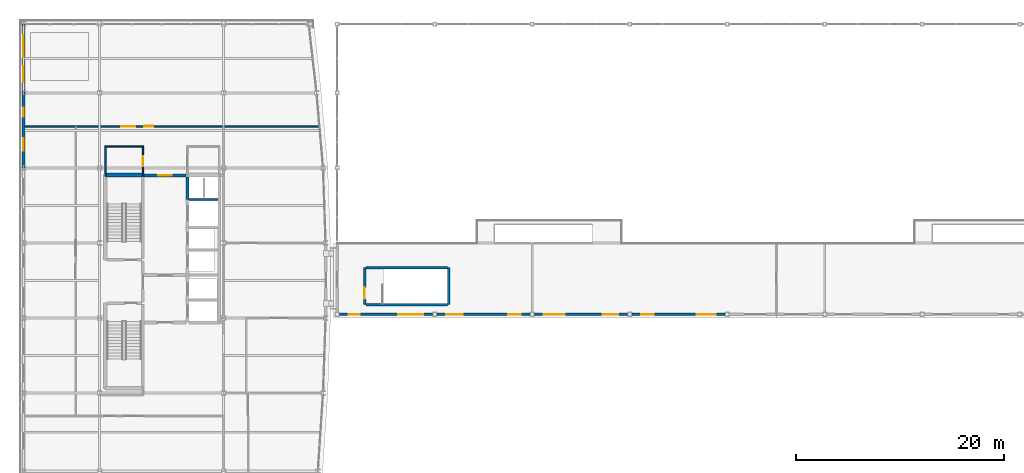
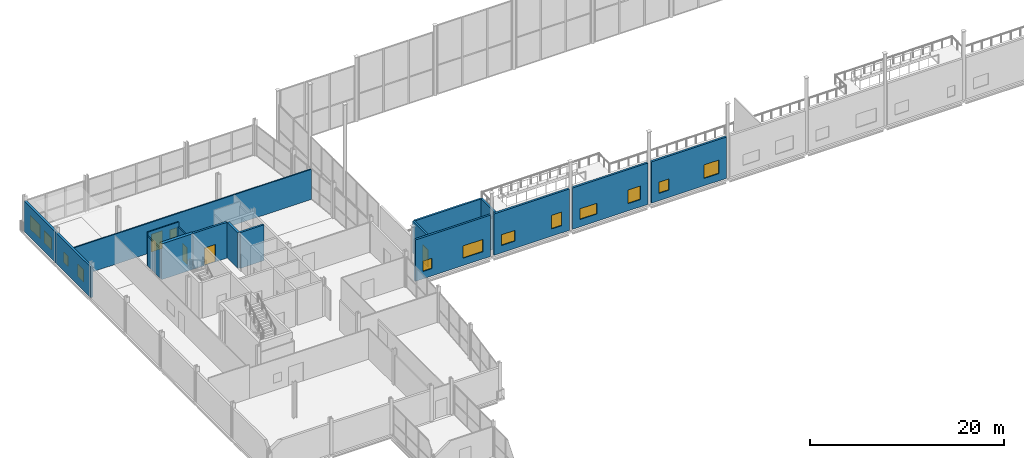
# One storey, part 66 of 77: 18 walls, 13 windows, 4 doors, 17 openings.
"""IFC4 building model written with IfcOpenShell, lengths in metres."""

from ifc_helpers import new_model, si_unit, direction, frame, frame_2d, origin, place, context, subcontext, project, spatial, rectangle, extrude, material, layer, layer_set, type_object, element, fill, save


model = new_model("IFC4")

# Units and contexts
model_context = context("Model", 3, precision=1e-05, world=origin(), true_north=direction((0.0, 1.0)))
body_context = subcontext(model_context, "Body", "Model", "MODEL_VIEW")
ifc_project = project(units=[si_unit("LENGTHUNIT", "METRE"), si_unit("AREAUNIT", "SQUARE_METRE"), si_unit("VOLUMEUNIT", "CUBIC_METRE"), si_unit("PLANEANGLEUNIT", "RADIAN"), si_unit("MASSUNIT", "GRAM", prefix="KILO")], contexts=[model_context])

# Site, building, storey
site_placement = place(None, origin())
site = spatial("IfcSite", under=ifc_project, at=site_placement, CompositionType="ELEMENT")
building_placement = place(site_placement, origin())
building = spatial("IfcBuilding", under=site, at=building_placement, Name="Quillay Park Conservatory", CompositionType="ELEMENT")
storey_placement = place(building_placement, frame((0.0, 0.0, 5.39990234375)))
storey = spatial("IfcBuildingStorey", under=building, at=storey_placement, Name="L01", CompositionType="ELEMENT", Elevation=5.39990234375)

# Wall, opening, door
ifc_material_1 = material(Name="Steel-Stud Acoustic Gypsum Board Partition", Category="steel")
ifc_layer_1 = layer(ifc_material_1, 0.114990234375)
ifc_layer_set_1 = layer_set([ifc_layer_1], Name="ACOUSTIC GYPSUM PARTITION 115 (Steel-Stud Acoustic Gypsum Board Partition)")
wall_type_1 = type_object("IfcWallType", Name="ACOUSTIC GYPSUM PARTITION 115", PredefinedType="PARTITIONING", material=ifc_layer_set_1)
wall_1_placement = place(storey_placement, frame((12.0, 101.60009765625, 0.0), z_axis=(0.0, 0.0, 1.0), x_axis=(0.0, -1.0, 0.0)))
wall_1 = element("IfcWall", 1, at=wall_1_placement, inside=storey, type_object=wall_type_1, Name="L01 Accessible WC Door Wall", PredefinedType="PARTITIONING", context=body_context, shape_type="SweptSolid", body=[
    extrude(rectangle(XDim=2.68017578125, YDim=0.114990234375, at=frame_2d((1.340087890625, 0.0))), origin(), (0.0, 0.0, 1.0), 3.72119140625),
])
opening_1_placement = place(wall_1_placement, frame((0.860107421875, 0.0, 0.0)))
opening_1 = element("IfcOpeningElement", 2, at=opening_1_placement, cuts=wall_1, Name="Opening D-RM08", PredefinedType="OPENING", context=body_context, shape_type="SweptSolid", body=[
    extrude(rectangle(XDim=0.9599609375, YDim=2.14990234375, at=frame_2d((0.47998046875, 1.074951171875))), frame((0.0, 0.0576171875, 0.0), z_axis=(0.0, -1.0, 0.0), x_axis=(1.0, 0.0, 0.0)), (0.0, 0.0, 1.0), 0.114990234375),
])
ifc_material_2 = material(Name="Thermally Broken Anodised Aluminium 6063-T6", Category="aluminium")
door_type_1 = type_object("IfcDoorType", Name="SINGLE SWING DOOR 960 X2150", OperationType="NOTDEFINED", PredefinedType="DOOR", material=ifc_material_2)
door_1_placement = place(opening_1_placement, origin())
door_1 = element("IfcDoor", 3, at=door_1_placement, inside=storey, type_object=door_type_1, Name="L01 Door to L01 Accessible WC", OperationType="SINGLE_SWING_LEFT", OverallHeight=2.14990234375, OverallWidth=0.9599609375, PredefinedType="DOOR", context=body_context, shape_type="SweptSolid", body=[
    extrude(rectangle(XDim=0.9599609375, YDim=2.14990234375, at=frame_2d((0.47998046875, 1.074951171875))), frame((0.0, 0.02490234375, 0.0), z_axis=(0.0, -1.0, 0.0), x_axis=(1.0, 0.0, 0.0)), (0.0, 0.0, 1.0), 0.050048828125),
])
fill(opening_1, door_1)

# Walls
ifc_material_3 = material(Name="Steel-Stud Acoustic Gypsum Board Partition", Category="steel")
ifc_layer_2 = layer(ifc_material_3, 0.1201171875)
ifc_layer_set_2 = layer_set([ifc_layer_2], Name="ACOUSTIC GYPSUM PARTITION 120 (Steel-Stud Acoustic Gypsum Board Partition)")
wall_type_2 = type_object("IfcWallType", Name="ACOUSTIC GYPSUM PARTITION 120", PredefinedType="PARTITIONING", material=ifc_layer_set_2)
wall_2_placement = place(storey_placement, frame((8.360107421875, 101.659912109375, 0.0), z_axis=(0.0, 0.0, 1.0), x_axis=(1.0, 0.0, 0.0)))
element("IfcWall", 4, at=wall_2_placement, inside=storey, type_object=wall_type_2, Name="L01 Accessible WC North Wall", PredefinedType="PARTITIONING", context=body_context, shape_type="SweptSolid", body=[
    extrude(rectangle(XDim=3.699951171875, YDim=0.1201171875, at=frame_2d((1.85009765625, 0.0))), origin(), (0.0, 0.0, 1.0), 4.25),
])
ifc_material_4 = material(Name="Steel-Stud Acoustic Gypsum Board Partition", Category="steel")
ifc_layer_3 = layer(ifc_material_4, 0.125)
ifc_layer_set_3 = layer_set([ifc_layer_3], Name="ACOUSTIC GYPSUM PARTITION 125 (Steel-Stud Acoustic Gypsum Board Partition)")
wall_type_3 = type_object("IfcWallType", Name="ACOUSTIC GYPSUM PARTITION 125", PredefinedType="PARTITIONING", material=ifc_layer_set_3)
wall_3_placement = place(storey_placement, frame((8.419921875, 98.919921875, 0.0), z_axis=(0.0, 0.0, 1.0), x_axis=(0.0, 1.0, 0.0)))
element("IfcWall", 5, at=wall_3_placement, inside=storey, type_object=wall_type_3, Name="L01 Accessible WC West Wall", PredefinedType="PARTITIONING", context=body_context, shape_type="SweptSolid", body=[
    extrude(rectangle(XDim=2.739990234375, YDim=0.125, at=frame_2d((1.3701171875, 0.0))), origin(), (0.0, 0.0, 1.0), 3.72119140625),
])

# Wall, openings, window, door
ifc_material_5 = material(Name="Steel-Stud Acoustic Gypsum Board Partition", Category="steel")
ifc_layer_4 = layer(ifc_material_5, 0.14990234375)
ifc_layer_set_4 = layer_set([ifc_layer_4], Name="ACOUSTIC GYPSUM PARTITION 150 (Steel-Stud Acoustic Gypsum Board Partition)")
wall_type_4 = type_object("IfcWallType", Name="ACOUSTIC GYPSUM PARTITION 150", PredefinedType="PARTITIONING", material=ifc_layer_set_4)
wall_4_placement = place(storey_placement, frame((0.64990234375, 103.60009765625, 0.0), z_axis=(0.0, 0.0, 1.0), x_axis=(1.0, 0.0, 0.0)))
wall_4 = element("IfcWall", 6, at=wall_4_placement, inside=storey, type_object=wall_type_4, Name="L01 Soil Microbiome Research Laboratory South Wall", PredefinedType="PARTITIONING", context=body_context, shape_type="SweptSolid", body=[
    extrude(rectangle(XDim=28.26513671875, YDim=0.14990234375, at=frame_2d((14.132568359375, 0.0))), origin(), (0.0, 0.0, 1.0), 3.797119140625),
])
opening_2_placement = place(wall_4_placement, frame((9.27001953125, 0.0, 0.0)))
opening_2 = element("IfcOpeningElement", 7, at=opening_2_placement, cuts=wall_4, Name="Opening D-RM24", PredefinedType="OPENING", context=body_context, shape_type="SweptSolid", body=[
    extrude(rectangle(XDim=1.360107421875, YDim=2.25, at=frame_2d((0.68017578125, 1.125))), frame((0.0, 0.074951171875, 0.0), z_axis=(0.0, -1.0, 0.0), x_axis=(1.0, 0.0, 0.0)), (0.0, 0.0, 1.0), 0.14990234375),
])
opening_3_placement = place(wall_4_placement, frame((11.47998046875, 0.0, 0.919921875)))
opening_3 = element("IfcOpeningElement", 8, at=opening_3_placement, cuts=wall_4, Name="Opening W-IN01", PredefinedType="OPENING", context=body_context, shape_type="SweptSolid", body=[
    extrude(rectangle(XDim=0.85009765625, YDim=1.10009765625, at=frame_2d((0.425048828125, 0.550048828125))), frame((0.0, 0.074951171875, 0.0), z_axis=(0.0, -1.0, 0.0), x_axis=(1.0, 0.0, 0.0)), (0.0, 0.0, 1.0), 0.14990234375),
])
ifc_material_6 = material(Name="Low-E Double Glazing (Laminated Tempered)", Category="glass")
window_type_1 = type_object("IfcWindowType", Name="OPERABLE VENT WINDOW 850 X1100", PartitioningType="SINGLE_PANEL", PredefinedType="WINDOW", material=ifc_material_6)
window_1_placement = place(opening_3_placement, origin())
window_1 = element("IfcWindow", 9, at=window_1_placement, inside=storey, type_object=window_type_1, Name="L01 Laboratory Vision Panel 013", OverallHeight=1.10009765625, OverallWidth=0.85009765625, PartitioningType="SINGLE_PANEL", PredefinedType="WINDOW", context=body_context, shape_type="SweptSolid", body=[
    extrude(rectangle(XDim=0.85009765625, YDim=1.10009765625, at=frame_2d((0.425048828125, 0.550048828125))), frame((0.0, 0.030029296875, 0.0), z_axis=(0.0, -1.0, 0.0), x_axis=(1.0, 0.0, 0.0)), (0.0, 0.0, 1.0), 0.06005859375),
])
fill(opening_3, window_1)
ifc_material_7 = material(Name="Thermally Broken Anodised Aluminium 6063-T6", Category="aluminium")
door_type_2 = type_object("IfcDoorType", Name="SINGLE SWING DOOR 1360 X2250", OperationType="NOTDEFINED", PredefinedType="DOOR", material=ifc_material_7)
door_2_placement = place(opening_2_placement, origin())
door_2 = element("IfcDoor", 10, at=door_2_placement, inside=storey, type_object=door_type_2, Name="L01 Door to Soil Microbiome Research Laboratory", OperationType="SINGLE_SWING_RIGHT", OverallHeight=2.25, OverallWidth=1.360107421875, PredefinedType="DOOR", context=body_context, shape_type="SweptSolid", body=[
    extrude(rectangle(XDim=1.360107421875, YDim=2.25, at=frame_2d((0.68017578125, 1.125))), frame((0.0, 0.02490234375, 0.0), z_axis=(0.0, -1.0, 0.0), x_axis=(1.0, 0.0, 0.0)), (0.0, 0.0, 1.0), 0.050048828125),
])
fill(opening_2, door_2)

# Walls
ifc_material_8 = material(Name="Concrete C35/45 (NCh170 Concrete C35/45)", Category="concrete")
ifc_layer_5 = layer(ifc_material_8, 0.22509765625)
ifc_layer_set_5 = layer_set([ifc_layer_5], Name="CORE SHEAR WALL 225 (Concrete C35/45 (NCh170 Concrete C35/45))")
wall_type_5 = type_object("IfcWallType", Name="CORE SHEAR WALL 225", PredefinedType="SHEAR", material=ifc_layer_set_5)
wall_5_placement = place(storey_placement, frame((16.39990234375, 96.574951171875, 0.0), z_axis=(0.0, 0.0, 1.0), x_axis=(1.0, 0.0, 0.0)))
element("IfcWall", 11, at=wall_5_placement, inside=storey, type_object=wall_type_5, Name="L01 Core Shear Wall WL-LFDIV-L01-965", PredefinedType="SHEAR", context=body_context, shape_type="SweptSolid", body=[
    extrude(rectangle(XDim=2.800048828125, YDim=0.22509765625, at=frame_2d((1.39990234375, 0.0))), origin(), (0.0, 0.0, 1.0), 4.5),
])
for number, where, z_axis, x_axis, name in (
    (12, (33.39990234375, 86.487548828125, 0.0), (0.0, 0.0, 1.0), (1.0, 0.0, 0.0), "L01 Core Shear Wall WL-STC1S-L01"),
    (13, (33.39990234375, 90.032470703125, 0.0), (0.0, 0.0, 1.0), (1.0, 0.0, 0.0), "L01 Core Shear Wall WL-STC1N-L01"),
):
    element("IfcWall", number, at=place(storey_placement, frame(where, z_axis=z_axis, x_axis=x_axis)), inside=storey, type_object=wall_type_5, Name=name, PredefinedType="SHEAR", context=body_context, shape_type="SweptSolid", body=[
        extrude(rectangle(XDim=7.85009765625, YDim=0.22509765625, at=frame_2d((3.925048828125, 0.0))), origin(), (0.0, 0.0, 1.0), 4.0),
    ])
wall_6_placement = place(storey_placement, frame((41.362548828125, 86.487548828125, 0.0), z_axis=(0.0, 0.0, 1.0), x_axis=(0.0, 1.0, 0.0)))
element("IfcWall", 14, at=wall_6_placement, inside=storey, type_object=wall_type_5, Name="L01 Core Shear Wall WL-STC1E-L01", PredefinedType="SHEAR", context=body_context, shape_type="SweptSolid", body=[
    extrude(rectangle(XDim=3.544921875, YDim=0.22509765625, at=frame_2d((1.7724609375, 0.0))), origin(), (0.0, 0.0, 1.0), 4.0),
])

# Wall, opening, door
wall_7_placement = place(storey_placement, frame((33.28759765625, 86.487548828125, 0.0), z_axis=(0.0, 0.0, 1.0), x_axis=(0.0, 1.0, 0.0)))
wall_7 = element("IfcWall", 15, at=wall_7_placement, inside=storey, type_object=wall_type_5, Name="L01 Core Shear Wall WL-STC1D-L01", PredefinedType="SHEAR", context=body_context, shape_type="SweptSolid", body=[
    extrude(rectangle(XDim=3.544921875, YDim=0.22509765625, at=frame_2d((1.7724609375, 0.0))), origin(), (0.0, 0.0, 1.0), 4.0),
])
opening_4_placement = place(wall_7_placement, frame((0.550048828125, 0.0, 0.0)))
opening_4 = element("IfcOpeningElement", 16, at=opening_4_placement, cuts=wall_7, Name="Opening D-ST01", PredefinedType="OPENING", context=body_context, shape_type="SweptSolid", body=[
    extrude(rectangle(XDim=1.10009765625, YDim=2.14990234375, at=frame_2d((0.550048828125, 1.074951171875))), frame((0.0, 0.112548828125, 0.0), z_axis=(0.0, -1.0, 0.0), x_axis=(1.0, 0.0, 0.0)), (0.0, 0.0, 1.0), 0.22509765625),
])
ifc_material_9 = material(Name="Steel ASTM A572 Grade 50", Category="steel")
door_type_3 = type_object("IfcDoorType", Name="FIRE RATED STAIR DOOR 1100 X2150", OperationType="NOTDEFINED", PredefinedType="DOOR", material=ifc_material_9)
door_3_placement = place(opening_4_placement, origin())
door_3 = element("IfcDoor", 17, at=door_3_placement, inside=storey, type_object=door_type_3, Name="L01 Conservatory Stair ST-C1 Door", OperationType="SINGLE_SWING_RIGHT", OverallHeight=2.14990234375, OverallWidth=1.10009765625, PredefinedType="DOOR", context=body_context, shape_type="SweptSolid", body=[
    extrude(rectangle(XDim=1.10009765625, YDim=2.14990234375, at=frame_2d((0.550048828125, 1.074951171875))), frame((0.0, 0.02490234375, 0.0), z_axis=(0.0, -1.0, 0.0), x_axis=(1.0, 0.0, 0.0)), (0.0, 0.0, 1.0), 0.050048828125),
])
fill(opening_4, door_3)

ifc_material_10 = material(Name="Concrete C40/50 (NCh170 Concrete C40/50)", Category="concrete")
ifc_layer_6 = layer(ifc_material_10, 0.25)
ifc_layer_set_6 = layer_set([ifc_layer_6], Name="CORE SHEAR WALL 250 (Concrete C40/50 (NCh170 Concrete C40/50))")
wall_type_6 = type_object("IfcWallType", Name="CORE SHEAR WALL 250", PredefinedType="SHEAR", material=ifc_layer_set_6)
wall_8_placement = place(storey_placement, frame((12.1201171875, 98.875, 0.0), z_axis=(0.0, 0.0, 1.0), x_axis=(1.0, 0.0, 0.0)))
wall_8 = element("IfcWall", 18, at=wall_8_placement, inside=storey, type_object=wall_type_6, Name="L01 Core Shear Wall WL-PAXN-L01", PredefinedType="SHEAR", context=body_context, shape_type="SweptSolid", body=[
    extrude(rectangle(XDim=4.02978515625, YDim=0.25, at=frame_2d((2.014892578125, 0.0))), origin(), (0.0, 0.0, 1.0), 4.5),
])
opening_5_placement = place(wall_8_placement, frame((1.35009765625, 0.0, 0.0)))
opening_5 = element("IfcOpeningElement", 19, at=opening_5_placement, cuts=wall_8, Name="Opening D-LB02", PredefinedType="OPENING", context=body_context, shape_type="SweptSolid", body=[
    extrude(rectangle(XDim=1.300048828125, YDim=2.199951171875, at=frame_2d((0.64990234375, 1.10009765625))), frame((0.0, 0.125, 0.0), z_axis=(0.0, -1.0, 0.0), x_axis=(1.0, 0.0, 0.0)), (0.0, 0.0, 1.0), 0.25),
])
ifc_material_11 = material(Name="Steel ASTM A572 Grade 50", Category="steel")
door_type_4 = type_object("IfcDoorType", Name="FIRE RATED LOBBY DOOR 1300 X2200", OperationType="NOTDEFINED", PredefinedType="DOOR", material=ifc_material_11)
door_4_placement = place(opening_5_placement, origin())
door_4 = element("IfcDoor", 20, at=door_4_placement, inside=storey, type_object=door_type_4, Name="L01 North Lift Lobby Door", OperationType="SINGLE_SWING_RIGHT", OverallHeight=2.199951171875, OverallWidth=1.300048828125, PredefinedType="DOOR", context=body_context, shape_type="SweptSolid", body=[
    extrude(rectangle(XDim=1.300048828125, YDim=2.199951171875, at=frame_2d((0.64990234375, 1.10009765625))), frame((0.0, 0.02490234375, 0.0), z_axis=(0.0, -1.0, 0.0), x_axis=(1.0, 0.0, 0.0)), (0.0, 0.0, 1.0), 0.050048828125),
])
fill(opening_5, door_4)

# Walls
wall_9_placement = place(storey_placement, frame((16.27490234375, 96.574951171875, 0.0), z_axis=(0.0, 0.0, 1.0), x_axis=(0.0, 1.0, 0.0)))
element("IfcWall", 21, at=wall_9_placement, inside=storey, type_object=wall_type_6, Name="L01 Core Shear Wall WL-MEPR-L01", PredefinedType="SHEAR", context=body_context, shape_type="SweptSolid", body=[
    extrude(rectangle(XDim=2.175048828125, YDim=0.25, at=frame_2d((1.08740234375, 0.0))), origin(), (0.0, 0.0, 1.0), 4.5),
])
ifc_material_12 = material(Name="Concrete C40/50 (NCh170 Concrete C40/50)", Category="concrete")
ifc_layer_7 = layer(ifc_material_12, 0.35009765625)
ifc_layer_set_7 = layer_set([ifc_layer_7], Name="CORE SHEAR WALL 350 (Concrete C40/50 (NCh170 Concrete C40/50))")
wall_type_7 = type_object("IfcWallType", Name="CORE SHEAR WALL 350", PredefinedType="SHEAR", material=ifc_layer_set_7)
wall_10_placement = place(storey_placement, frame((8.35009765625, 98.925048828125, 0.0), z_axis=(0.0, 0.0, 1.0), x_axis=(1.0, 0.0, 0.0)))
element("IfcWall", 22, at=wall_10_placement, inside=storey, type_object=wall_type_7, Name="L01 Core Shear Wall WL-TCN-W-L01", PredefinedType="SHEAR", context=body_context, shape_type="SweptSolid", body=[
    extrude(rectangle(XDim=3.77001953125, YDim=0.35009765625, at=frame_2d((1.885009765625, 0.0))), origin(), (0.0, 0.0, 1.0), 4.5),
])

# Wall, openings, windows
ifc_material_13 = material(Name="Glass-Fibre Reinforced Concrete (GRC) Cladding", Category="concrete")
ifc_layer_8 = layer(ifc_material_13, 0.239990234375)
ifc_layer_set_8 = layer_set([ifc_layer_8], Name="EXTERIOR SOLID WALL 240 (Glass-Fibre Reinforced Concrete (GRC) Cladding)")
wall_type_8 = type_object("IfcWallType", Name="EXTERIOR SOLID WALL 240", PredefinedType="SOLIDWALL", material=ifc_layer_set_8)
wall_11_placement = place(storey_placement, frame((39.804443359375, 85.550048828125, 0.0), z_axis=(0.0, 0.0, 1.0), x_axis=(-1.0, 0.0, 0.0)))
wall_11 = element("IfcWall", 23, at=wall_11_placement, inside=storey, type_object=wall_type_8, Name="L01 External Wall WL-EXT-V1S-L01-0", PredefinedType="SOLIDWALL", context=body_context, shape_type="SweptSolid", body=[
    extrude(rectangle(XDim=8.953125, YDim=0.239990234375, at=frame_2d((4.4765625, 0.0))), origin(), (0.0, 0.0, 1.0), 5.2001953125),
])
opening_6_placement = place(wall_11_placement, frame((0.898681640625, 0.0, 0.919921875)))
opening_6 = element("IfcOpeningElement", 24, at=opening_6_placement, cuts=wall_11, Name="Opening W-11", PredefinedType="OPENING", context=body_context, shape_type="SweptSolid", body=[
    extrude(rectangle(XDim=2.39990234375, YDim=1.550048828125, at=frame_2d((1.199951171875, 0.77490234375))), frame((0.0, 0.1201171875, 0.0), z_axis=(0.0, -1.0, 0.0), x_axis=(1.0, 0.0, 0.0)), (0.0, 0.0, 1.0), 0.239990234375),
])
opening_7_placement = place(wall_11_placement, frame((7.00439453125, 0.0, 0.919921875)))
opening_7 = element("IfcOpeningElement", 25, at=opening_7_placement, cuts=wall_11, Name="Opening W-18", PredefinedType="OPENING", context=body_context, shape_type="SweptSolid", body=[
    extrude(rectangle(XDim=1.050048828125, YDim=1.300048828125, at=frame_2d((0.52490234375, 0.64990234375))), frame((0.0, 0.1201171875, 0.0), z_axis=(0.0, -1.0, 0.0), x_axis=(1.0, 0.0, 0.0)), (0.0, 0.0, 1.0), 0.239990234375),
])
ifc_material_14 = material(Name="Low-E Double Glazing (Laminated Tempered)", Category="glass")
window_type_2 = type_object("IfcWindowType", Name="FIXED CASEMENT WINDOW 1050 X1300", PartitioningType="SINGLE_PANEL", PredefinedType="WINDOW", material=ifc_material_14)
window_2_placement = place(opening_7_placement, origin())
window_2 = element("IfcWindow", 26, at=window_2_placement, inside=storey, type_object=window_type_2, Name="L01 Exterior Window 0354", OverallHeight=1.300048828125, OverallWidth=1.050048828125, PartitioningType="SINGLE_PANEL", PredefinedType="WINDOW", context=body_context, shape_type="SweptSolid", body=[
    extrude(rectangle(XDim=1.050048828125, YDim=1.300048828125, at=frame_2d((0.52490234375, 0.64990234375))), frame((0.0, 0.030029296875, 0.0), z_axis=(0.0, -1.0, 0.0), x_axis=(1.0, 0.0, 0.0)), (0.0, 0.0, 1.0), 0.06005859375),
])
fill(opening_7, window_2)
ifc_material_15 = material(Name="Low-E Double Glazing (Laminated Tempered)", Category="glass")
window_type_3 = type_object("IfcWindowType", Name="FIXED CASEMENT WINDOW 2400 X1550", PartitioningType="DOUBLE_PANEL_VERTICAL", PredefinedType="WINDOW", material=ifc_material_15)
window_3_placement = place(opening_6_placement, origin())
window_3 = element("IfcWindow", 27, at=window_3_placement, inside=storey, type_object=window_type_3, Name="L01 Exterior Window 0353", OverallHeight=1.550048828125, OverallWidth=2.39990234375, PartitioningType="DOUBLE_PANEL_VERTICAL", PredefinedType="WINDOW", context=body_context, shape_type="SweptSolid", body=[
    extrude(rectangle(XDim=2.39990234375, YDim=1.550048828125, at=frame_2d((1.199951171875, 0.77490234375))), frame((0.0, 0.030029296875, 0.0), z_axis=(0.0, -1.0, 0.0), x_axis=(1.0, 0.0, 0.0)), (0.0, 0.0, 1.0), 0.06005859375),
])
fill(opening_6, window_3)

wall_12_placement = place(storey_placement, frame((49.159912109375, 85.550048828125, 0.0), z_axis=(0.0, 0.0, 1.0), x_axis=(-1.0, 0.0, 0.0)))
wall_12 = element("IfcWall", 28, at=wall_12_placement, inside=storey, type_object=wall_type_8, Name="L01 External Wall WL-EXT-V1S-L01-1", PredefinedType="SOLIDWALL", context=body_context, shape_type="SweptSolid", body=[
    extrude(rectangle(XDim=8.953125, YDim=0.239990234375, at=frame_2d((4.4765625, 0.0))), origin(), (0.0, 0.0, 1.0), 5.2001953125),
])
opening_8_placement = place(wall_12_placement, frame((0.898681640625, 0.0, 0.919921875)))
opening_8 = element("IfcOpeningElement", 29, at=opening_8_placement, cuts=wall_12, Name="Opening W-12", PredefinedType="OPENING", context=body_context, shape_type="SweptSolid", body=[
    extrude(rectangle(XDim=1.199951171875, YDim=1.699951171875, at=frame_2d((0.60009765625, 0.85009765625))), frame((0.0, 0.1201171875, 0.0), z_axis=(0.0, -1.0, 0.0), x_axis=(1.0, 0.0, 0.0)), (0.0, 0.0, 1.0), 0.239990234375),
])
opening_9_placement = place(wall_12_placement, frame((6.454345703125, 0.0, 0.919921875)))
opening_9 = element("IfcOpeningElement", 30, at=opening_9_placement, cuts=wall_12, Name="Opening W-19", PredefinedType="OPENING", context=body_context, shape_type="SweptSolid", body=[
    extrude(rectangle(XDim=1.60009765625, YDim=1.35009765625, at=frame_2d((0.800048828125, 0.675048828125))), frame((0.0, 0.1201171875, 0.0), z_axis=(0.0, -1.0, 0.0), x_axis=(1.0, 0.0, 0.0)), (0.0, 0.0, 1.0), 0.239990234375),
])
ifc_material_16 = material(Name="Low-E Double Glazing (Laminated Tempered)", Category="glass")
window_type_4 = type_object("IfcWindowType", Name="FIXED CASEMENT WINDOW 1200 X1700", PartitioningType="SINGLE_PANEL", PredefinedType="WINDOW", material=ifc_material_16)
window_4_placement = place(opening_8_placement, origin())
window_4 = element("IfcWindow", 31, at=window_4_placement, inside=storey, type_object=window_type_4, Name="L01 Exterior Window 0355", OverallHeight=1.699951171875, OverallWidth=1.199951171875, PartitioningType="SINGLE_PANEL", PredefinedType="WINDOW", context=body_context, shape_type="SweptSolid", body=[
    extrude(rectangle(XDim=1.199951171875, YDim=1.699951171875, at=frame_2d((0.60009765625, 0.85009765625))), frame((0.0, 0.030029296875, 0.0), z_axis=(0.0, -1.0, 0.0), x_axis=(1.0, 0.0, 0.0)), (0.0, 0.0, 1.0), 0.06005859375),
])
fill(opening_8, window_4)
ifc_material_17 = material(Name="Low-E Double Glazing (Laminated Tempered)", Category="glass")
window_type_5 = type_object("IfcWindowType", Name="FIXED CASEMENT WINDOW 1600 X1350", PartitioningType="DOUBLE_PANEL_VERTICAL", PredefinedType="WINDOW", material=ifc_material_17)
window_5_placement = place(opening_9_placement, origin())
window_5 = element("IfcWindow", 32, at=window_5_placement, inside=storey, type_object=window_type_5, Name="L01 Exterior Window 0356", OverallHeight=1.35009765625, OverallWidth=1.60009765625, PartitioningType="DOUBLE_PANEL_VERTICAL", PredefinedType="WINDOW", context=body_context, shape_type="SweptSolid", body=[
    extrude(rectangle(XDim=1.60009765625, YDim=1.35009765625, at=frame_2d((0.800048828125, 0.675048828125))), frame((0.0, 0.030029296875, 0.0), z_axis=(0.0, -1.0, 0.0), x_axis=(1.0, 0.0, 0.0)), (0.0, 0.0, 1.0), 0.06005859375),
])
fill(opening_9, window_5)

wall_13_placement = place(storey_placement, frame((58.515380859375, 85.550048828125, 0.0), z_axis=(0.0, 0.0, 1.0), x_axis=(-1.0, 0.0, 0.0)))
wall_13 = element("IfcWall", 33, at=wall_13_placement, inside=storey, type_object=wall_type_8, Name="L01 External Wall WL-EXT-V1S-L01-2", PredefinedType="SOLIDWALL", context=body_context, shape_type="SweptSolid", body=[
    extrude(rectangle(XDim=8.953125, YDim=0.239990234375, at=frame_2d((4.4765625, 0.0))), origin(), (0.0, 0.0, 1.0), 5.2001953125),
])
opening_10_placement = place(wall_13_placement, frame((0.898681640625, 0.0, 0.919921875)))
opening_10 = element("IfcOpeningElement", 34, at=opening_10_placement, cuts=wall_13, Name="Opening W-13", PredefinedType="OPENING", context=body_context, shape_type="SweptSolid", body=[
    extrude(rectangle(XDim=1.5, YDim=1.699951171875, at=frame_2d((0.75, 0.85009765625))), frame((0.0, 0.1201171875, 0.0), z_axis=(0.0, -1.0, 0.0), x_axis=(1.0, 0.0, 0.0)), (0.0, 0.0, 1.0), 0.239990234375),
])
opening_11_placement = place(wall_13_placement, frame((6.054443359375, 0.0, 0.919921875)))
opening_11 = element("IfcOpeningElement", 35, at=opening_11_placement, cuts=wall_13, Name="Opening W-20", PredefinedType="OPENING", context=body_context, shape_type="SweptSolid", body=[
    extrude(rectangle(XDim=2.0, YDim=1.35009765625, at=frame_2d((1.0, 0.675048828125))), frame((0.0, 0.1201171875, 0.0), z_axis=(0.0, -1.0, 0.0), x_axis=(1.0, 0.0, 0.0)), (0.0, 0.0, 1.0), 0.239990234375),
])
ifc_material_18 = material(Name="Low-E Double Glazing (Laminated Tempered)", Category="glass")
window_type_6 = type_object("IfcWindowType", Name="FIXED CASEMENT WINDOW 1500 X1700", PartitioningType="SINGLE_PANEL", PredefinedType="WINDOW", material=ifc_material_18)
window_6_placement = place(opening_10_placement, origin())
window_6 = element("IfcWindow", 36, at=window_6_placement, inside=storey, type_object=window_type_6, Name="L01 Exterior Window 0357", OverallHeight=1.699951171875, OverallWidth=1.5, PartitioningType="SINGLE_PANEL", PredefinedType="WINDOW", context=body_context, shape_type="SweptSolid", body=[
    extrude(rectangle(XDim=1.5, YDim=1.699951171875, at=frame_2d((0.75, 0.85009765625))), frame((0.0, 0.030029296875, 0.0), z_axis=(0.0, -1.0, 0.0), x_axis=(1.0, 0.0, 0.0)), (0.0, 0.0, 1.0), 0.06005859375),
])
fill(opening_10, window_6)
ifc_material_19 = material(Name="Low-E Double Glazing (Laminated Tempered)", Category="glass")
window_type_7 = type_object("IfcWindowType", Name="FIXED CASEMENT WINDOW 2000 X1350", PartitioningType="DOUBLE_PANEL_VERTICAL", PredefinedType="WINDOW", material=ifc_material_19)
window_7_placement = place(opening_11_placement, origin())
window_7 = element("IfcWindow", 37, at=window_7_placement, inside=storey, type_object=window_type_7, Name="L01 Exterior Window 0358", OverallHeight=1.35009765625, OverallWidth=2.0, PartitioningType="DOUBLE_PANEL_VERTICAL", PredefinedType="WINDOW", context=body_context, shape_type="SweptSolid", body=[
    extrude(rectangle(XDim=2.0, YDim=1.35009765625, at=frame_2d((1.0, 0.675048828125))), frame((0.0, 0.030029296875, 0.0), z_axis=(0.0, -1.0, 0.0), x_axis=(1.0, 0.0, 0.0)), (0.0, 0.0, 1.0), 0.06005859375),
])
fill(opening_11, window_7)

wall_14_placement = place(storey_placement, frame((67.87109375, 85.550048828125, 0.0), z_axis=(0.0, 0.0, 1.0), x_axis=(-1.0, 0.0, 0.0)))
wall_14 = element("IfcWall", 38, at=wall_14_placement, inside=storey, type_object=wall_type_8, Name="L01 External Wall WL-EXT-V1S-L01-3", PredefinedType="SOLIDWALL", context=body_context, shape_type="SweptSolid", body=[
    extrude(rectangle(XDim=8.953125, YDim=0.239990234375, at=frame_2d((4.4765625, 0.0))), origin(), (0.0, 0.0, 1.0), 5.2001953125),
])
opening_12_placement = place(wall_14_placement, frame((0.898681640625, 0.0, 0.919921875)))
opening_12 = element("IfcOpeningElement", 39, at=opening_12_placement, cuts=wall_14, Name="Opening W-14", PredefinedType="OPENING", context=body_context, shape_type="SweptSolid", body=[
    extrude(rectangle(XDim=1.800048828125, YDim=1.699951171875, at=frame_2d((0.89990234375, 0.85009765625))), frame((0.0, 0.1201171875, 0.0), z_axis=(0.0, -1.0, 0.0), x_axis=(1.0, 0.0, 0.0)), (0.0, 0.0, 1.0), 0.239990234375),
])
opening_13_placement = place(wall_14_placement, frame((6.854248046875, 0.0, 0.919921875)))
opening_13 = element("IfcOpeningElement", 40, at=opening_13_placement, cuts=wall_14, Name="Opening W-01", PredefinedType="OPENING", context=body_context, shape_type="SweptSolid", body=[
    extrude(rectangle(XDim=1.199951171875, YDim=1.39990234375, at=frame_2d((0.60009765625, 0.699951171875))), frame((0.0, 0.1201171875, 0.0), z_axis=(0.0, -1.0, 0.0), x_axis=(1.0, 0.0, 0.0)), (0.0, 0.0, 1.0), 0.239990234375),
])
ifc_material_20 = material(Name="Low-E Double Glazing (Laminated Tempered)", Category="glass")
window_type_8 = type_object("IfcWindowType", Name="FIXED CASEMENT WINDOW 1200 X1400", PartitioningType="SINGLE_PANEL", PredefinedType="WINDOW", material=ifc_material_20)
window_8_placement = place(opening_13_placement, origin())
window_8 = element("IfcWindow", 41, at=window_8_placement, inside=storey, type_object=window_type_8, Name="L01 Exterior Window 0360", OverallHeight=1.39990234375, OverallWidth=1.199951171875, PartitioningType="SINGLE_PANEL", PredefinedType="WINDOW", context=body_context, shape_type="SweptSolid", body=[
    extrude(rectangle(XDim=1.199951171875, YDim=1.39990234375, at=frame_2d((0.60009765625, 0.699951171875))), frame((0.0, 0.030029296875, 0.0), z_axis=(0.0, -1.0, 0.0), x_axis=(1.0, 0.0, 0.0)), (0.0, 0.0, 1.0), 0.06005859375),
])
fill(opening_13, window_8)
ifc_material_21 = material(Name="Low-E Double Glazing (Laminated Tempered)", Category="glass")
window_type_9 = type_object("IfcWindowType", Name="FIXED CASEMENT WINDOW 1800 X1700", PartitioningType="DOUBLE_PANEL_VERTICAL", PredefinedType="WINDOW", material=ifc_material_21)
window_9_placement = place(opening_12_placement, origin())
window_9 = element("IfcWindow", 42, at=window_9_placement, inside=storey, type_object=window_type_9, Name="L01 Exterior Window 0359", OverallHeight=1.699951171875, OverallWidth=1.800048828125, PartitioningType="DOUBLE_PANEL_VERTICAL", PredefinedType="WINDOW", context=body_context, shape_type="SweptSolid", body=[
    extrude(rectangle(XDim=1.800048828125, YDim=1.699951171875, at=frame_2d((0.89990234375, 0.85009765625))), frame((0.0, 0.030029296875, 0.0), z_axis=(0.0, -1.0, 0.0), x_axis=(1.0, 0.0, 0.0)), (0.0, 0.0, 1.0), 0.06005859375),
])
fill(opening_12, window_9)

ifc_material_22 = material(Name="Glass-Fibre Reinforced Concrete (GRC) Cladding", Category="concrete")
ifc_layer_9 = layer(ifc_material_22, 0.260009765625)
ifc_layer_set_9 = layer_set([ifc_layer_9], Name="EXTERIOR SOLID WALL 260 (Glass-Fibre Reinforced Concrete (GRC) Cladding)")
wall_type_9 = type_object("IfcWallType", Name="EXTERIOR SOLID WALL 260", PredefinedType="SOLIDWALL", material=ifc_layer_set_9)
wall_15_placement = place(storey_placement, frame((0.550048828125, 99.60009765625, 0.0), z_axis=(0.0, 0.0, 1.0), x_axis=(0.0, 1.0, 0.0)))
wall_15 = element("IfcWall", 43, at=wall_15_placement, inside=storey, type_object=wall_type_9, Name="L01 External Wall WL-EXT-V4W-L01-5", PredefinedType="SOLIDWALL", context=body_context, shape_type="SweptSolid", body=[
    extrude(rectangle(XDim=7.199951171875, YDim=0.260009765625, at=frame_2d((3.60009765625, 0.0))), origin(), (0.0, 0.0, 1.0), 3.84716796875),
])
opening_14_placement = place(wall_15_placement, frame((1.655029296875, 0.0, 0.919921875)))
opening_14 = element("IfcOpeningElement", 44, at=opening_14_placement, cuts=wall_15, Name="Opening W-07", PredefinedType="OPENING", context=body_context, shape_type="SweptSolid", body=[
    extrude(rectangle(XDim=1.199951171875, YDim=1.550048828125, at=frame_2d((0.60009765625, 0.77490234375))), frame((0.0, 0.1298828125, 0.0), z_axis=(0.0, -1.0, 0.0), x_axis=(1.0, 0.0, 0.0)), (0.0, 0.0, 1.0), 0.260009765625),
])
opening_15_placement = place(wall_15_placement, frame((4.89501953125, 0.0, 0.919921875)))
opening_15 = element("IfcOpeningElement", 45, at=opening_15_placement, cuts=wall_15, Name="Opening W-17", PredefinedType="OPENING", context=body_context, shape_type="SweptSolid", body=[
    extrude(rectangle(XDim=0.89990234375, YDim=1.300048828125, at=frame_2d((0.449951171875, 0.64990234375))), frame((0.0, 0.1298828125, 0.0), z_axis=(0.0, -1.0, 0.0), x_axis=(1.0, 0.0, 0.0)), (0.0, 0.0, 1.0), 0.260009765625),
])
ifc_material_23 = material(Name="Low-E Double Glazing (Laminated Tempered)", Category="glass")
window_type_10 = type_object("IfcWindowType", Name="FIXED CASEMENT WINDOW 1200 X1550", PartitioningType="SINGLE_PANEL", PredefinedType="WINDOW", material=ifc_material_23)
window_10_placement = place(opening_14_placement, origin())
window_10 = element("IfcWindow", 46, at=window_10_placement, inside=storey, type_object=window_type_10, Name="L01 Exterior Window 0096", OverallHeight=1.550048828125, OverallWidth=1.199951171875, PartitioningType="SINGLE_PANEL", PredefinedType="WINDOW", context=body_context, shape_type="SweptSolid", body=[
    extrude(rectangle(XDim=1.199951171875, YDim=1.550048828125, at=frame_2d((0.60009765625, 0.77490234375))), frame((0.0, 0.030029296875, 0.0), z_axis=(0.0, -1.0, 0.0), x_axis=(1.0, 0.0, 0.0)), (0.0, 0.0, 1.0), 0.06005859375),
])
fill(opening_14, window_10)
ifc_material_24 = material(Name="Low-E Double Glazing (Laminated Tempered)", Category="glass")
window_type_11 = type_object("IfcWindowType", Name="FIXED CASEMENT WINDOW 900 X1300", PartitioningType="SINGLE_PANEL", PredefinedType="WINDOW", material=ifc_material_24)
window_11_placement = place(opening_15_placement, origin())
window_11 = element("IfcWindow", 47, at=window_11_placement, inside=storey, type_object=window_type_11, Name="L01 Exterior Window 0097", OverallHeight=1.300048828125, OverallWidth=0.89990234375, PartitioningType="SINGLE_PANEL", PredefinedType="WINDOW", context=body_context, shape_type="SweptSolid", body=[
    extrude(rectangle(XDim=0.89990234375, YDim=1.300048828125, at=frame_2d((0.449951171875, 0.64990234375))), frame((0.0, 0.030029296875, 0.0), z_axis=(0.0, -1.0, 0.0), x_axis=(1.0, 0.0, 0.0)), (0.0, 0.0, 1.0), 0.06005859375),
])
fill(opening_15, window_11)

wall_16_placement = place(storey_placement, frame((0.550048828125, 106.800048828125, 0.0), z_axis=(0.0, 0.0, 1.0), x_axis=(0.0, 1.0, 0.0)))
wall_16 = element("IfcWall", 48, at=wall_16_placement, inside=storey, type_object=wall_type_9, Name="L01 External Wall WL-EXT-V4W-L01-6", PredefinedType="SOLIDWALL", context=body_context, shape_type="SweptSolid", body=[
    extrude(rectangle(XDim=6.599853515625, YDim=0.260009765625, at=frame_2d((3.2998046875, 0.0))), origin(), (0.0, 0.0, 1.0), 3.84716796875),
])
opening_16_placement = place(wall_16_placement, frame((1.070068359375, 0.0, 0.919921875)))
opening_16 = element("IfcOpeningElement", 49, at=opening_16_placement, cuts=wall_16, Name="Opening W-08", PredefinedType="OPENING", context=body_context, shape_type="SweptSolid", body=[
    extrude(rectangle(XDim=1.5, YDim=1.550048828125, at=frame_2d((0.75, 0.77490234375))), frame((0.0, 0.1298828125, 0.0), z_axis=(0.0, -1.0, 0.0), x_axis=(1.0, 0.0, 0.0)), (0.0, 0.0, 1.0), 0.260009765625),
])
opening_17_placement = place(wall_16_placement, frame((3.429931640625, 0.0, 0.919921875)))
opening_17 = element("IfcOpeningElement", 50, at=opening_17_placement, cuts=wall_16, Name="Opening W-15", PredefinedType="OPENING", context=body_context, shape_type="SweptSolid", body=[
    extrude(rectangle(XDim=2.10009765625, YDim=1.699951171875, at=frame_2d((1.050048828125, 0.85009765625))), frame((0.0, 0.1298828125, 0.0), z_axis=(0.0, -1.0, 0.0), x_axis=(1.0, 0.0, 0.0)), (0.0, 0.0, 1.0), 0.260009765625),
])
ifc_material_25 = material(Name="Low-E Double Glazing (Laminated Tempered)", Category="glass")
window_type_12 = type_object("IfcWindowType", Name="FIXED CASEMENT WINDOW 1500 X1550", PartitioningType="SINGLE_PANEL", PredefinedType="WINDOW", material=ifc_material_25)
window_12_placement = place(opening_16_placement, origin())
window_12 = element("IfcWindow", 51, at=window_12_placement, inside=storey, type_object=window_type_12, Name="L01 Exterior Window 0098", OverallHeight=1.550048828125, OverallWidth=1.5, PartitioningType="SINGLE_PANEL", PredefinedType="WINDOW", context=body_context, shape_type="SweptSolid", body=[
    extrude(rectangle(XDim=1.5, YDim=1.550048828125, at=frame_2d((0.75, 0.77490234375))), frame((0.0, 0.030029296875, 0.0), z_axis=(0.0, -1.0, 0.0), x_axis=(1.0, 0.0, 0.0)), (0.0, 0.0, 1.0), 0.06005859375),
])
fill(opening_16, window_12)
ifc_material_26 = material(Name="Low-E Double Glazing (Laminated Tempered)", Category="glass")
window_type_13 = type_object("IfcWindowType", Name="FIXED CASEMENT WINDOW 2100 X1700", PartitioningType="DOUBLE_PANEL_VERTICAL", PredefinedType="WINDOW", material=ifc_material_26)
window_13_placement = place(opening_17_placement, origin())
window_13 = element("IfcWindow", 52, at=window_13_placement, inside=storey, type_object=window_type_13, Name="L01 Exterior Window 0099", OverallHeight=1.699951171875, OverallWidth=2.10009765625, PartitioningType="DOUBLE_PANEL_VERTICAL", PredefinedType="WINDOW", context=body_context, shape_type="SweptSolid", body=[
    extrude(rectangle(XDim=2.10009765625, YDim=1.699951171875, at=frame_2d((1.050048828125, 0.85009765625))), frame((0.0, 0.030029296875, 0.0), z_axis=(0.0, -1.0, 0.0), x_axis=(1.0, 0.0, 0.0)), (0.0, 0.0, 1.0), 0.06005859375),
])
fill(opening_17, window_13)

save(model, "model.ifc")
